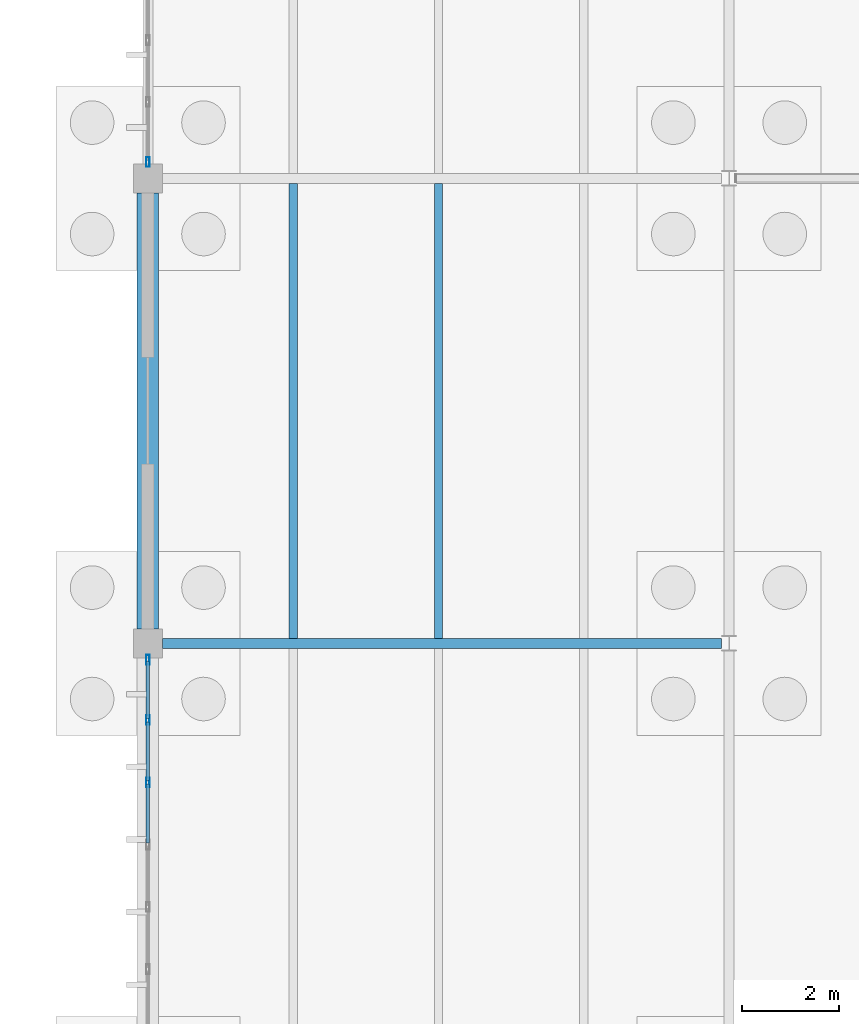
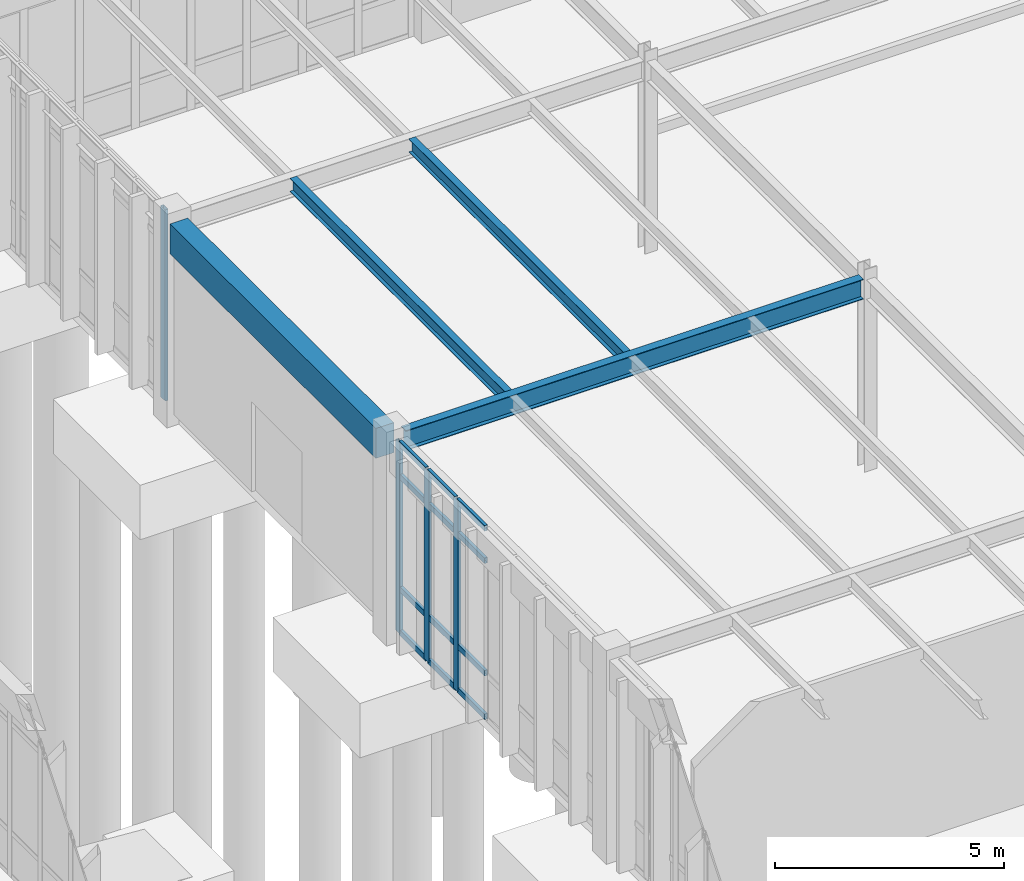
# One storey, part 69 of 188: 16 members, 4 beams, 2 elements without a shape of their own.
"""IFC4 building model written with IfcOpenShell, lengths in metres."""

import ifcopenshell
import ifcopenshell.guid

model = None  # the IFC model being written
_history = None  # IfcOwnerHistory: only IFC2X3 demands one
_inside = {}  # id of a spatial element -> (the spatial element, [elements in it])
_under = {}  # id of a project, library or spatial element -> (it, [spatial elements below it])
_declared = {}  # id of a project -> (the project, [libraries it declares])
_typed = {}  # id of a type object -> (the type object, [elements of that type])
_made_of = {}  # id of a material, layer set ... -> (it, [elements and type objects made of it])


def new_model(schema):
    """Start an empty IFC model of exactly this schema.

    Asked for "IFC4X3", IfcOpenShell would pick the latest addendum, in which some entities
    have other attributes; the version numbers below select the first issue.
    IFC2X3 requires an IfcOwnerHistory on every rooted entity: one is made here for all.
    """
    global model, _history
    if schema == "IFC4X3":
        model = ifcopenshell.file(schema_version=(4, 3, 0, 0))
    else:
        model = ifcopenshell.file(schema=schema)
    _inside.clear()
    _under.clear()
    _declared.clear()
    _typed.clear()
    _made_of.clear()
    _history = None
    if model.schema == "IFC2X3":
        org = make("IfcOrganization", Name="unknown")
        user = make(
            "IfcPersonAndOrganization",
            ThePerson=make("IfcPerson", FamilyName="unknown"),
            TheOrganization=org,
        )
        app = make(
            "IfcApplication",
            ApplicationDeveloper=org,
            Version="unknown",
            ApplicationFullName="unknown",
            ApplicationIdentifier="unknown",
        )
        _history = make(
            "IfcOwnerHistory",
            OwningUser=user,
            OwningApplication=app,
            ChangeAction="ADDED",
            CreationDate=0,
        )
    return model


def make(cls, **values):
    """One entity of the class cls with the attributes given. An attribute that is None is left unset."""
    return model.create_entity(
        cls, **{name: value for name, value in values.items() if value is not None}
    )


def rooted(cls, **values):
    """An entity with a GlobalId (a new one), such as an element, a storey or a relation."""
    return make(cls, GlobalId=ifcopenshell.guid.new(), OwnerHistory=_history, **values)


def si_unit(unit_type, name, prefix=None):
    """IfcSIUnit, for example si_unit("LENGTHUNIT", "METRE", prefix="MILLI")."""
    return make("IfcSIUnit", UnitType=unit_type, Prefix=prefix, Name=name)


def assignment(units):
    """IfcUnitAssignment: the units of a project."""
    return None if units is None else make("IfcUnitAssignment", Units=units)


def point(xyz):
    """IfcCartesianPoint."""
    return None if xyz is None else make("IfcCartesianPoint", Coordinates=xyz)


def direction(xyz):
    """IfcDirection."""
    return None if xyz is None else make("IfcDirection", DirectionRatios=xyz)


def frame(location, z_axis=None, x_axis=None):
    """IfcAxis2Placement3D, a coordinate frame: its origin and axes. An axis left out is left unset."""
    return make(
        "IfcAxis2Placement3D",
        Location=point(location),
        Axis=direction(z_axis),
        RefDirection=direction(x_axis),
    )


def frame_2d(location, x_axis=None):
    """IfcAxis2Placement2D, a coordinate frame in the plane: its origin and x axis."""
    return make(
        "IfcAxis2Placement2D", Location=point(location), RefDirection=direction(x_axis)
    )


def origin():
    """The frame at (0, 0, 0) with its axes left unset."""
    return frame((0.0, 0.0, 0.0))


def origin_2d():
    """The frame at (0, 0) in the plane with its x axis left unset."""
    return frame_2d((0.0, 0.0))


def place(relative_to, where):
    """IfcLocalPlacement: puts the frame where relative to a parent placement (None: the world)."""
    return make(
        "IfcLocalPlacement", PlacementRelTo=relative_to, RelativePlacement=where
    )


def context(
    kind, dimensions, precision=None, world=None, true_north=None, identifier=None
):
    """IfcGeometricRepresentationContext, for example the 3D "Model" context."""
    return make(
        "IfcGeometricRepresentationContext",
        ContextIdentifier=identifier,
        ContextType=kind,
        CoordinateSpaceDimension=dimensions,
        Precision=precision,
        WorldCoordinateSystem=world,
        TrueNorth=true_north,
    )


def subcontext(parent, identifier, kind, view, scale=None):
    """IfcGeometricRepresentationSubContext, for example "Body" below "Model"."""
    return make(
        "IfcGeometricRepresentationSubContext",
        ContextIdentifier=identifier,
        ContextType=kind,
        ParentContext=parent,
        TargetScale=scale,
        TargetView=view,
    )


def project(units=None, contexts=None):
    """IfcProject with its units and contexts."""
    return rooted(
        "IfcProject",
        Name="project",
        RepresentationContexts=contexts,
        UnitsInContext=assignment(units),
    )


def spatial(cls, under=None, at=None, **own):
    """A site, building, storey or space (cls), placed at a placement, below another one or the project."""
    s = rooted(cls, ObjectPlacement=at, **own)
    if under is not None:
        _under.setdefault(under.id(), (under, []))[1].append(s)
    return s


def profile(cls, at=None, kind="AREA", **sizes):
    """A parametric profile (cls). Its sizes go by their IFC names, for example OverallWidth=200.0."""
    return make(cls, ProfileType=kind, Position=at, **sizes)


def rectangle(**sizes):
    """IfcRectangleProfileDef."""
    return profile("IfcRectangleProfileDef", **sizes)


def hollow_rectangle(**sizes):
    """IfcRectangleHollowProfileDef."""
    return profile("IfcRectangleHollowProfileDef", **sizes)


def i_section(**sizes):
    """IfcIShapeProfileDef."""
    return profile("IfcIShapeProfileDef", **sizes)


def extrude(swept, where, along, depth):
    """IfcExtrudedAreaSolid: the profile swept, set in the frame where, extruded along a direction by depth."""
    return make(
        "IfcExtrudedAreaSolid",
        SweptArea=swept,
        Position=where,
        ExtrudedDirection=direction(along),
        Depth=depth,
    )


def shape(context_of_items, identifier, shape_type, items):
    """IfcShapeRepresentation: the items that make up one representation, for example the "Body"."""
    return make(
        "IfcShapeRepresentation",
        ContextOfItems=context_of_items,
        RepresentationIdentifier=identifier,
        RepresentationType=shape_type,
        Items=items,
    )


def material(Name=None, Category=None):
    """IfcMaterial."""
    return make("IfcMaterial", Name=Name, Category=Category)


def layer(
    of_material, thickness, ventilated=None, Name=None, Category=None, Priority=None
):
    """IfcMaterialLayer: one layer of a wall or slab, of a material (None: an air gap)."""
    return make(
        "IfcMaterialLayer",
        Material=of_material,
        LayerThickness=thickness,
        IsVentilated=ventilated,
        Name=Name,
        Category=Category,
        Priority=Priority,
    )


def layer_set(layers, Name=None):
    """IfcMaterialLayerSet."""
    return make("IfcMaterialLayerSet", MaterialLayers=layers, LayerSetName=Name)


def material_profile(
    of_material, cross_section, Name=None, Category=None, Priority=None
):
    """IfcMaterialProfile: a cross section and its material."""
    return make(
        "IfcMaterialProfile",
        Name=Name,
        Material=of_material,
        Profile=cross_section,
        Priority=Priority,
        Category=Category,
    )


def profile_set(profiles, Name=None, composite=None):
    """IfcMaterialProfileSet."""
    return make(
        "IfcMaterialProfileSet",
        Name=Name,
        MaterialProfiles=profiles,
        CompositeProfile=composite,
    )


def made_of(thing, what):
    """Note that an element or type object is made of a material, layer set ...; save() writes the relation."""
    if what is not None:
        _made_of.setdefault(what.id(), (what, []))[1].append(thing)
    return thing


def type_object(cls, material=None, **own):
    """A type object (cls), such as IfcWallType, which elements share."""
    return made_of(rooted(cls, **own), material)


def element(
    cls,
    number,
    at=None,
    inside=None,
    cuts=None,
    type_object=None,
    material=None,
    context=None,
    identifier="Body",
    shape_type=None,
    held_by="IfcProductDefinitionShape",
    body=None,
    shapes=None,
    **own,
):
    """One element of the class cls, such as IfcWall. Its Tag is "e" and its number.

    at: its placement. inside: the storey or other place that contains it. cuts: it is an
    opening in that element (IfcRelVoidsElement). A single representation is given by context,
    identifier, shape_type and body (its items); several are given by shapes. held_by: the class
    of the entity that holds the representations. save() writes the other relations.
    """
    e = rooted(cls, Tag="e%d" % number, ObjectPlacement=at, **own)
    if body is not None:
        shapes = [shape(context, identifier, shape_type, body)]
    if shapes is not None:
        e.Representation = make(held_by, Representations=shapes)
    if inside is not None:
        _inside.setdefault(inside.id(), (inside, []))[1].append(e)
    if cuts is not None:
        rooted(
            "IfcRelVoidsElement", RelatingBuildingElement=cuts, RelatedOpeningElement=e
        )
    if type_object is not None:
        _typed.setdefault(type_object.id(), (type_object, []))[1].append(e)
    return made_of(e, material)


def aggregate(whole, parts):
    """IfcRelAggregates: a whole, such as a stair, and the parts it consists of."""
    return rooted("IfcRelAggregates", RelatingObject=whole, RelatedObjects=parts)


def save(model, path):
    """Write the relations noted so far, then the file.

    IfcRelAggregates (storeys below a building ...), IfcRelContainedInSpatialStructure (elements
    in a storey), IfcRelDefinesByType, IfcRelAssociatesMaterial and IfcRelDeclares: one each for
    every whole, place, type object, material and project.
    """
    for whole, parts in _under.values():
        aggregate(whole, parts)
    for where, things in _inside.values():
        rooted(
            "IfcRelContainedInSpatialStructure",
            RelatedElements=things,
            RelatingStructure=where,
        )
    for kind, things in _typed.values():
        rooted("IfcRelDefinesByType", RelatedObjects=things, RelatingType=kind)
    for what, things in _made_of.values():
        rooted("IfcRelAssociatesMaterial", RelatedObjects=things, RelatingMaterial=what)
    for by, libraries in _declared.values():
        rooted("IfcRelDeclares", RelatingContext=by, RelatedDefinitions=libraries)
    model.write(path)


model = new_model("IFC4")

# Units and contexts
model_context = context("Model", 3, precision=1e-05, world=origin(), true_north=direction((0.0, 1.0)))
body_context = subcontext(model_context, "Body", "Model", "MODEL_VIEW")
ifc_project = project(units=[si_unit("LENGTHUNIT", "METRE"), si_unit("AREAUNIT", "SQUARE_METRE"), si_unit("VOLUMEUNIT", "CUBIC_METRE"), si_unit("PLANEANGLEUNIT", "RADIAN"), si_unit("MASSUNIT", "GRAM", prefix="KILO")], contexts=[model_context])

# Site, building, storey
site_placement = place(None, origin())
site = spatial("IfcSite", under=ifc_project, at=site_placement, CompositionType="ELEMENT")
building_placement = place(site_placement, origin())
building = spatial("IfcBuilding", under=site, at=building_placement, Name="Pandanus Reach Market Hall", CompositionType="ELEMENT")
storey_placement = place(building_placement, origin())
storey = spatial("IfcBuildingStorey", under=building, at=storey_placement, Name="L00", CompositionType="ELEMENT", Elevation=0.0)

# Beams
ifc_material_1 = material(Name="Concrete N40 (40 MPa)", Category="concrete")
ifc_material_profile_1 = material_profile(ifc_material_1, rectangle(XDim=0.449951171875, YDim=0.800048828125, at=origin_2d()), Name="RC450x800", Category="LoadBearing")
ifc_profile_set_1 = profile_set([ifc_material_profile_1], Name="Concrete N40 (40 MPa)")
beam_type_1 = type_object("IfcBeamType", Name="BM-RC450-E", PredefinedType="SPANDREL", material=ifc_profile_set_1)
beam_1_placement = place(storey_placement, frame((48.0, 67.498046875, 4.719970703125), z_axis=(0.0, 1.0, 0.0), x_axis=(-1.0, 0.0, 0.0)))
element("IfcBeam", 1, at=beam_1_placement, inside=storey, type_object=beam_type_1, Name="Framing beam BM-RC450-E L00.1100", PredefinedType="SPANDREL", context=body_context, shape_type="SweptSolid", body=[
    extrude(rectangle(XDim=0.449951171875, YDim=0.800048828125, at=origin_2d()), origin(), (0.0, 0.0, 1.0), 9.00390625),
])
ifc_material_2 = material(Name="Steel Grade 350 (350 MPa)", Category="steel")
ifc_material_profile_2 = material_profile(ifc_material_2, i_section(OverallWidth=0.208984375, OverallDepth=0.532958984375, WebThickness=0.01025390625, FlangeThickness=0.015625, at=origin_2d()), Name="530UB92.4", Category="LoadBearing")
ifc_profile_set_2 = profile_set([ifc_material_profile_2], Name="Steel Grade 350 (350 MPa)")
beam_type_2 = type_object("IfcBeamType", Name="BM-UB530-I", PredefinedType="BEAM", material=ifc_profile_set_2)
beam_2_placement = place(storey_placement, frame((48.298095703125, 67.199951171875, 4.85302734375), z_axis=(1.0, 0.0, 0.0), x_axis=(0.0, 1.0, 0.0)))
element("IfcBeam", 2, at=beam_2_placement, inside=storey, type_object=beam_type_2, Name="Framing beam BM-UB530-I L00.1084", PredefinedType="BEAM", context=body_context, shape_type="SweptSolid", body=[
    extrude(i_section(OverallWidth=0.208984375, OverallDepth=0.532958984375, WebThickness=0.01025390625, FlangeThickness=0.015625, at=origin_2d()), origin(), (0.0, 0.0, 1.0), 11.54638671875),
])

# Curtain wall, members
ifc_material_3 = material(Name="Bronze anodised aluminium and low-E glass", Category="aluminium")
ifc_layer_1 = layer(ifc_material_3, 0.199951171875, Name="CW-06")
ifc_layer_set_1 = layer_set([ifc_layer_1], Name="Bronze anodised aluminium and low-E glass")
curtain_wall_type_1 = type_object("IfcCurtainWallType", Name="CW-06", PredefinedType="NOTDEFINED", material=ifc_layer_set_1)
curtain_wall_1_placement = place(storey_placement, origin())
curtain_wall_1 = element("IfcCurtainWall", 3, at=curtain_wall_1_placement, inside=storey, type_object=curtain_wall_type_1, Name="Glazed curtain wall CW-06 CW-0028", PredefinedType="NOTDEFINED")
ifc_material_4 = material(Name="Bronze anodised aluminium", Category="aluminium")
ifc_material_profile_3 = material_profile(ifc_material_4, hollow_rectangle(XDim=0.074951171875, YDim=0.199951171875, WallThickness=0.00439453125, at=origin_2d()), Name="ALU75x200", Category="LoadBearing")
ifc_profile_set_3 = profile_set([ifc_material_profile_3], Name="Bronze anodised aluminium")
member_type_1 = type_object("IfcMemberType", Name="CW-M2", PredefinedType="MULLION", material=ifc_profile_set_3)
member_1_placement = place(storey_placement, frame((48.0, 64.32861328125, 0.0), z_axis=(0.0, 0.0, 1.0), x_axis=(-1.0, 0.0, 0.0)))
member_1 = element("IfcMember", 4, at=member_1_placement, type_object=member_type_1, Name="CW-06 mullion 6", PredefinedType="MULLION", context=body_context, shape_type="SweptSolid", body=[
    extrude(hollow_rectangle(XDim=0.074951171875, YDim=0.199951171875, WallThickness=0.00439453125, at=origin_2d()), origin(), (0.0, 0.0, 1.0), 5.10009765625),
])
member_2_placement = place(storey_placement, frame((48.0, 65.6142578125, 0.0), z_axis=(0.0, 0.0, 1.0), x_axis=(-1.0, 0.0, 0.0)))
member_2 = element("IfcMember", 5, at=member_2_placement, type_object=member_type_1, Name="CW-06 mullion 7", PredefinedType="MULLION", context=body_context, shape_type="SweptSolid", body=[
    extrude(hollow_rectangle(XDim=0.074951171875, YDim=0.199951171875, WallThickness=0.00439453125, at=origin_2d()), origin(), (0.0, 0.0, 1.0), 5.10009765625),
])
member_3_placement = place(storey_placement, frame((48.0, 66.862548828125, 0.0), z_axis=(0.0, 0.0, 1.0), x_axis=(-1.0, 0.0, 0.0)))
member_3 = element("IfcMember", 6, at=member_3_placement, type_object=member_type_1, Name="CW-06 mullion 8", PredefinedType="MULLION", context=body_context, shape_type="SweptSolid", body=[
    extrude(hollow_rectangle(XDim=0.074951171875, YDim=0.199951171875, WallThickness=0.00439453125, at=origin_2d()), origin(), (0.0, 0.0, 1.0), 5.10009765625),
])

# Curtain wall, member
ifc_layer_2 = layer(ifc_material_3, 0.199951171875, Name="CW-03")
ifc_layer_set_2 = layer_set([ifc_layer_2], Name="Bronze anodised aluminium and low-E glass")
curtain_wall_type_2 = type_object("IfcCurtainWallType", Name="CW-03", PredefinedType="NOTDEFINED", material=ifc_layer_set_2)
curtain_wall_2_placement = place(storey_placement, origin())
curtain_wall_2 = element("IfcCurtainWall", 7, at=curtain_wall_2_placement, inside=storey, type_object=curtain_wall_type_2, Name="Glazed curtain wall CW-03 CW-0034", PredefinedType="NOTDEFINED")
member_4_placement = place(storey_placement, frame((48.0, 77.137451171875, 0.0), z_axis=(0.0, 0.0, 1.0), x_axis=(-1.0, 0.0, 0.0)))
member_4 = element("IfcMember", 8, at=member_4_placement, type_object=member_type_1, Name="CW-03 mullion 1", PredefinedType="MULLION", context=body_context, shape_type="SweptSolid", body=[
    extrude(hollow_rectangle(XDim=0.074951171875, YDim=0.199951171875, WallThickness=0.00439453125, at=origin_2d()), origin(), (0.0, 0.0, 1.0), 5.10009765625),
])
aggregate(curtain_wall_2, [member_4])

# Member
ifc_material_profile_4 = material_profile(ifc_material_4, hollow_rectangle(XDim=0.074951171875, YDim=0.14990234375, WallThickness=0.00439453125, at=origin_2d()), Name="ALU75x150", Category="LoadBearing")
ifc_profile_set_4 = profile_set([ifc_material_profile_4], Name="Bronze anodised aluminium")
member_type_2 = type_object("IfcMemberType", Name="CW-T2", PredefinedType="USERDEFINED", material=ifc_profile_set_4)
member_5_placement = place(storey_placement, frame((48.0, 63.080322265625, 0.03759765625), z_axis=(0.0, 1.0, 0.0), x_axis=(-1.0, 0.0, 0.0)))
member_5 = element("IfcMember", 9, at=member_5_placement, type_object=member_type_2, Name="CW-06 transom 5.1", ObjectType="TRANSOM", PredefinedType="USERDEFINED", context=body_context, shape_type="SweptSolid", body=[
    extrude(hollow_rectangle(XDim=0.074951171875, YDim=0.14990234375, WallThickness=0.00439453125, at=origin_2d()), origin(), (0.0, 0.0, 1.0), 1.210693359375),
])

member_6_placement = place(storey_placement, frame((48.0, 63.080322265625, 1.199951171875), z_axis=(0.0, 1.0, 0.0), x_axis=(-1.0, 0.0, 0.0)))
member_6 = element("IfcMember", 10, at=member_6_placement, type_object=member_type_2, Name="CW-06 transom 5.2", ObjectType="TRANSOM", PredefinedType="USERDEFINED", context=body_context, shape_type="SweptSolid", body=[
    extrude(hollow_rectangle(XDim=0.074951171875, YDim=0.14990234375, WallThickness=0.00439453125, at=origin_2d()), origin(), (0.0, 0.0, 1.0), 1.210693359375),
])

member_7_placement = place(storey_placement, frame((48.0, 63.080322265625, 4.199951171875), z_axis=(0.0, 1.0, 0.0), x_axis=(-1.0, 0.0, 0.0)))
member_7 = element("IfcMember", 11, at=member_7_placement, type_object=member_type_2, Name="CW-06 transom 5.3", ObjectType="TRANSOM", PredefinedType="USERDEFINED", context=body_context, shape_type="SweptSolid", body=[
    extrude(hollow_rectangle(XDim=0.074951171875, YDim=0.14990234375, WallThickness=0.00439453125, at=origin_2d()), origin(), (0.0, 0.0, 1.0), 1.210693359375),
])

member_8_placement = place(storey_placement, frame((48.0, 63.080322265625, 5.0625), z_axis=(0.0, 1.0, 0.0), x_axis=(-1.0, 0.0, 0.0)))
member_8 = element("IfcMember", 12, at=member_8_placement, type_object=member_type_2, Name="CW-06 transom 5.4", ObjectType="TRANSOM", PredefinedType="USERDEFINED", context=body_context, shape_type="SweptSolid", body=[
    extrude(hollow_rectangle(XDim=0.074951171875, YDim=0.14990234375, WallThickness=0.00439453125, at=origin_2d()), origin(), (0.0, 0.0, 1.0), 1.210693359375),
])

member_9_placement = place(storey_placement, frame((48.0, 64.365966796875, 0.03759765625), z_axis=(0.0, 1.0, 0.0), x_axis=(-1.0, 0.0, 0.0)))
member_9 = element("IfcMember", 13, at=member_9_placement, type_object=member_type_2, Name="CW-06 transom 6.1", ObjectType="TRANSOM", PredefinedType="USERDEFINED", context=body_context, shape_type="SweptSolid", body=[
    extrude(hollow_rectangle(XDim=0.074951171875, YDim=0.14990234375, WallThickness=0.00439453125, at=origin_2d()), origin(), (0.0, 0.0, 1.0), 1.2109375),
])

member_10_placement = place(storey_placement, frame((48.0, 64.365966796875, 1.199951171875), z_axis=(0.0, 1.0, 0.0), x_axis=(-1.0, 0.0, 0.0)))
member_10 = element("IfcMember", 14, at=member_10_placement, type_object=member_type_2, Name="CW-06 transom 6.2", ObjectType="TRANSOM", PredefinedType="USERDEFINED", context=body_context, shape_type="SweptSolid", body=[
    extrude(hollow_rectangle(XDim=0.074951171875, YDim=0.14990234375, WallThickness=0.00439453125, at=origin_2d()), origin(), (0.0, 0.0, 1.0), 1.2109375),
])

member_11_placement = place(storey_placement, frame((48.0, 64.365966796875, 4.199951171875), z_axis=(0.0, 1.0, 0.0), x_axis=(-1.0, 0.0, 0.0)))
member_11 = element("IfcMember", 15, at=member_11_placement, type_object=member_type_2, Name="CW-06 transom 6.3", ObjectType="TRANSOM", PredefinedType="USERDEFINED", context=body_context, shape_type="SweptSolid", body=[
    extrude(hollow_rectangle(XDim=0.074951171875, YDim=0.14990234375, WallThickness=0.00439453125, at=origin_2d()), origin(), (0.0, 0.0, 1.0), 1.2109375),
])

member_12_placement = place(storey_placement, frame((48.0, 64.365966796875, 5.0625), z_axis=(0.0, 1.0, 0.0), x_axis=(-1.0, 0.0, 0.0)))
member_12 = element("IfcMember", 16, at=member_12_placement, type_object=member_type_2, Name="CW-06 transom 6.4", ObjectType="TRANSOM", PredefinedType="USERDEFINED", context=body_context, shape_type="SweptSolid", body=[
    extrude(hollow_rectangle(XDim=0.074951171875, YDim=0.14990234375, WallThickness=0.00439453125, at=origin_2d()), origin(), (0.0, 0.0, 1.0), 1.2109375),
])

member_13_placement = place(storey_placement, frame((48.0, 65.65185546875, 0.03759765625), z_axis=(0.0, 1.0, 0.0), x_axis=(-1.0, 0.0, 0.0)))
member_13 = element("IfcMember", 17, at=member_13_placement, type_object=member_type_2, Name="CW-06 transom 7.1", ObjectType="TRANSOM", PredefinedType="USERDEFINED", context=body_context, shape_type="SweptSolid", body=[
    extrude(hollow_rectangle(XDim=0.074951171875, YDim=0.14990234375, WallThickness=0.00439453125, at=origin_2d()), origin(), (0.0, 0.0, 1.0), 1.173095703125),
])

member_14_placement = place(storey_placement, frame((48.0, 65.65185546875, 1.199951171875), z_axis=(0.0, 1.0, 0.0), x_axis=(-1.0, 0.0, 0.0)))
member_14 = element("IfcMember", 18, at=member_14_placement, type_object=member_type_2, Name="CW-06 transom 7.2", ObjectType="TRANSOM", PredefinedType="USERDEFINED", context=body_context, shape_type="SweptSolid", body=[
    extrude(hollow_rectangle(XDim=0.074951171875, YDim=0.14990234375, WallThickness=0.00439453125, at=origin_2d()), origin(), (0.0, 0.0, 1.0), 1.173095703125),
])

member_15_placement = place(storey_placement, frame((48.0, 65.65185546875, 4.199951171875), z_axis=(0.0, 1.0, 0.0), x_axis=(-1.0, 0.0, 0.0)))
member_15 = element("IfcMember", 19, at=member_15_placement, type_object=member_type_2, Name="CW-06 transom 7.3", ObjectType="TRANSOM", PredefinedType="USERDEFINED", context=body_context, shape_type="SweptSolid", body=[
    extrude(hollow_rectangle(XDim=0.074951171875, YDim=0.14990234375, WallThickness=0.00439453125, at=origin_2d()), origin(), (0.0, 0.0, 1.0), 1.173095703125),
])

member_16_placement = place(storey_placement, frame((48.0, 65.65185546875, 5.0625), z_axis=(0.0, 1.0, 0.0), x_axis=(-1.0, 0.0, 0.0)))
member_16 = element("IfcMember", 20, at=member_16_placement, type_object=member_type_2, Name="CW-06 transom 7.4", ObjectType="TRANSOM", PredefinedType="USERDEFINED", context=body_context, shape_type="SweptSolid", body=[
    extrude(hollow_rectangle(XDim=0.074951171875, YDim=0.14990234375, WallThickness=0.00439453125, at=origin_2d()), origin(), (0.0, 0.0, 1.0), 1.173095703125),
])

aggregate(curtain_wall_1, [member_1, member_2, member_3, member_5, member_6, member_7, member_8, member_9, member_10, member_11, member_12, member_13, member_14, member_15, member_16])

# Beams
ifc_material_profile_5 = material_profile(ifc_material_2, i_section(OverallWidth=0.1708984375, OverallDepth=0.35595703125, WebThickness=0.00732421875, FlangeThickness=0.011474609375, at=origin_2d()), Name="360UB50.7", Category="LoadBearing")
ifc_profile_set_5 = profile_set([ifc_material_profile_5], Name="Steel Grade 350 (350 MPa)")
beam_type_3 = type_object("IfcBeamType", Name="JS-UB360-I", PredefinedType="JOIST", material=ifc_profile_set_5)
for number, where, z_axis, x_axis, name in (
    (21, (51.0, 67.302490234375, 4.941650390625), (0.0, 1.0, 0.0), (-1.0, 0.0, 0.0), "Secondary joist JS-UB360-I L00.1102"),
    (22, (54.0, 67.302490234375, 4.941650390625), (0.0, 1.0, 0.0), (-1.0, 0.0, 0.0), "Secondary joist JS-UB360-I L00.1103"),
):
    element("IfcBeam", number, at=place(storey_placement, frame(where, z_axis=z_axis, x_axis=x_axis)), inside=storey, type_object=beam_type_3, Name=name, PredefinedType="JOIST", context=body_context, shape_type="SweptSolid", body=[
        extrude(i_section(OverallWidth=0.1708984375, OverallDepth=0.35595703125, WebThickness=0.00732421875, FlangeThickness=0.011474609375, at=origin_2d()), origin(), (0.0, 0.0, 1.0), 9.39501953125),
    ])

save(model, "model.ifc")
